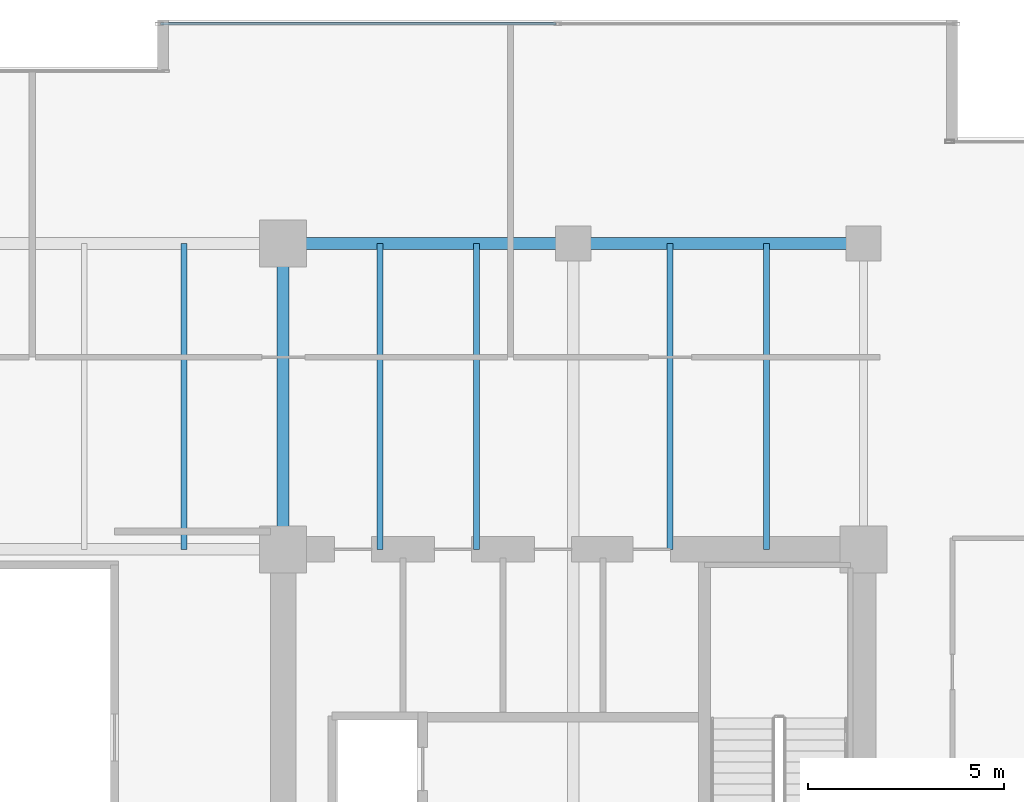
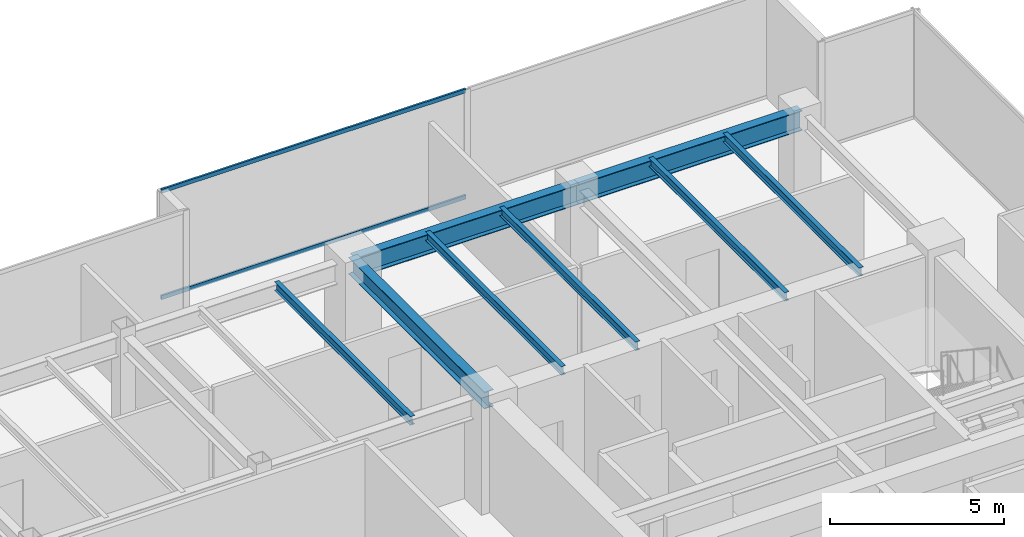
# One storey, part 19 of 30: 8 beams, 2 members, 1 element without a shape of its own.
"""IFC4 building model written with IfcOpenShell, lengths in metres."""

from ifc_helpers import new_model, si_unit, direction, frame, origin, origin_2d, place, context, subcontext, project, spatial, hollow_rectangle, i_section, extrude, source, transform, mapped, material, layer, layer_set, material_profile, profile_set, type_object, type_shapes, element, aggregate, save


model = new_model("IFC4")

# Units and contexts
model_context = context("Model", 3, precision=1e-05, world=origin(), true_north=direction((0.0, 1.0)))
body_context = subcontext(model_context, "Body", "Model", "MODEL_VIEW")
ifc_project = project(units=[si_unit("LENGTHUNIT", "METRE"), si_unit("AREAUNIT", "SQUARE_METRE"), si_unit("VOLUMEUNIT", "CUBIC_METRE"), si_unit("PLANEANGLEUNIT", "RADIAN"), si_unit("MASSUNIT", "GRAM", prefix="KILO")], contexts=[model_context])

# Site, building, storey
site_placement = place(None, origin())
site = spatial("IfcSite", under=ifc_project, at=site_placement, CompositionType="ELEMENT")
building_placement = place(site_placement, origin())
building = spatial("IfcBuilding", under=site, at=building_placement, Name="Haelvirn Gate Laboratories", CompositionType="ELEMENT")
storey_placement = place(building_placement, frame((0.0, 0.0, 170.699951171875)))
storey = spatial("IfcBuildingStorey", under=building, at=storey_placement, Name="L41", CompositionType="ELEMENT", Elevation=170.699951171875)

# Beams
ifc_material_1 = material(Name="Steel SM355", Category="steel")
ifc_material_profile_1 = material_profile(ifc_material_1, i_section(OverallWidth=0.300048828125, OverallDepth=0.699951171875, WebThickness=0.012939453125, FlangeThickness=0.02392578125, at=origin_2d()), Name="H-700x300x13x24")
ifc_profile_set_1 = profile_set([ifc_material_profile_1], Name="Steel SM355")
beam_type_1 = type_object("IfcBeamType", Name="BM-G-700", PredefinedType="BEAM", material=ifc_profile_set_1)
shared_shape_1 = source(origin(), body_context, "Body", "SweptSolid", [
    extrude(i_section(OverallWidth=0.300048828125, OverallDepth=0.699951171875, WebThickness=0.012939453125, FlangeThickness=0.02392578125, at=origin_2d()), origin(), (0.0, 0.0, 1.0), 7.39990234375),
])
type_shapes(beam_type_1, [shared_shape_1])
for number, where, z_axis, x_axis, name in (
    (1, (52.60009765625, 41.60009765625, 3.43994140625), (1.0, 0.0, 0.0), (0.0, 1.0, 0.0), "L41 Primary Girder Y41.6 (52.6-60.0)"),
    (2, (60.0, 41.60009765625, 3.43994140625), (1.0, 0.0, 0.0), (0.0, 1.0, 0.0), "L41 Primary Girder Y41.6 (60.0-67.4)"),
):
    element("IfcBeam", number, at=place(storey_placement, frame(where, z_axis=z_axis, x_axis=x_axis)), inside=storey, type_object=beam_type_1, Name=name, PredefinedType="BEAM", context=body_context, shape_type="MappedRepresentation", body=[
        mapped(shared_shape_1, transform((0.0, 0.0, 0.0), scale=1.0)),
    ])
ifc_material_profile_2 = material_profile(ifc_material_1, i_section(OverallWidth=0.14990234375, OverallDepth=0.300048828125, WebThickness=0.006591796875, FlangeThickness=0.009033203125, at=origin_2d()), Name="H-300x150x6.5x9")
ifc_profile_set_2 = profile_set([ifc_material_profile_2], Name="Steel SM355")
beam_type_2 = type_object("IfcBeamType", Name="BM-J-300", PredefinedType="JOIST", material=ifc_profile_set_2)
shared_shape_2 = source(origin(), body_context, "Body", "SweptSolid", [
    extrude(i_section(OverallWidth=0.14990234375, OverallDepth=0.300048828125, WebThickness=0.006591796875, FlangeThickness=0.009033203125, at=origin_2d()), origin(), (0.0, 0.0, 1.0), 7.800048828125),
])
type_shapes(beam_type_2, [shared_shape_2])
for number, where, z_axis, x_axis, name in (
    (3, (50.070068359375, 33.800048828125, 3.64013671875), (0.0, 1.0, 0.0), (-1.0, 0.0, 0.0), "L41 Composite Lab Joist North X50.07"),
    (4, (55.070068359375, 33.800048828125, 3.64013671875), (0.0, 1.0, 0.0), (-1.0, 0.0, 0.0), "L41 Composite Lab Joist North X55.07"),
    (5, (57.530029296875, 33.800048828125, 3.64013671875), (0.0, 1.0, 0.0), (-1.0, 0.0, 0.0), "L41 Composite Lab Joist North X57.53"),
    (6, (62.469970703125, 33.800048828125, 3.64013671875), (0.0, 1.0, 0.0), (-1.0, 0.0, 0.0), "L41 Composite Lab Joist North X62.47"),
    (7, (64.929931640625, 33.800048828125, 3.64013671875), (0.0, 1.0, 0.0), (-1.0, 0.0, 0.0), "L41 Composite Lab Joist North X64.93"),
):
    element("IfcBeam", number, at=place(storey_placement, frame(where, z_axis=z_axis, x_axis=x_axis)), inside=storey, type_object=beam_type_2, Name=name, PredefinedType="JOIST", context=body_context, shape_type="MappedRepresentation", body=[
        mapped(shared_shape_2, transform((0.0, 0.0, 0.0), scale=1.0)),
    ])
ifc_material_profile_3 = material_profile(ifc_material_1, i_section(OverallWidth=0.300048828125, OverallDepth=0.587890625, WebThickness=0.011962890625, FlangeThickness=0.02001953125, at=origin_2d()), Name="H-588x300x12x20")
ifc_profile_set_3 = profile_set([ifc_material_profile_3], Name="Steel SM355")
beam_type_3 = type_object("IfcBeamType", Name="BM-G-588", PredefinedType="BEAM", material=ifc_profile_set_3)
shared_shape_3 = source(origin(), body_context, "Body", "SweptSolid", [
    extrude(i_section(OverallWidth=0.300048828125, OverallDepth=0.587890625, WebThickness=0.011962890625, FlangeThickness=0.02001953125, at=origin_2d()), origin(), (0.0, 0.0, 1.0), 7.800048828125),
])
type_shapes(beam_type_3, [shared_shape_3])
beam_placement = place(storey_placement, frame((52.60009765625, 33.800048828125, 3.49609375), z_axis=(0.0, 1.0, 0.0), x_axis=(-1.0, 0.0, 0.0)))
element("IfcBeam", 8, at=beam_placement, inside=storey, type_object=beam_type_3, Name="L41 Frame Girder X52.6 (33.8-41.6)", PredefinedType="BEAM", context=body_context, shape_type="MappedRepresentation", body=[
    mapped(shared_shape_3, transform((0.0, 0.0, 0.0), scale=1.0)),
])

# Curtain wall, members
ifc_material_2 = material(Name="Anodised bronze unitised aluminium & triple low-E glass", Category="aluminium")
ifc_layer = layer(ifc_material_2, 0.179931640625, Name="CW-SYS-3")
ifc_layer_set = layer_set([ifc_layer], Name="Anodised bronze unitised aluminium & triple low-E glass")
curtain_wall_type = type_object("IfcCurtainWallType", Name="CW-SYS-3", PredefinedType="NOTDEFINED", material=ifc_layer_set)
curtain_wall_placement = place(storey_placement, origin())
curtain_wall = element("IfcCurtainWall", 9, at=curtain_wall_placement, inside=storey, type_object=curtain_wall_type, Name="L41 Unitised Curtain Wall CW-L41-P0-E10-1", PredefinedType="NOTDEFINED")
ifc_material_3 = material(Name="Extruded aluminium 6063-T6 (anodised bronze)", Category="aluminium")
ifc_material_profile_4 = material_profile(ifc_material_3, hollow_rectangle(XDim=0.06494140625, YDim=0.139892578125, WallThickness=0.00390625, at=origin_2d()), Name="CWT-140x65x4")
ifc_profile_set_4 = profile_set([ifc_material_profile_4], Name="Extruded aluminium 6063-T6 (anodised bronze)")
member_type = type_object("IfcMemberType", Name="CWT-T140", PredefinedType="USERDEFINED", material=ifc_profile_set_4)
shared_shape_4 = source(origin(), body_context, "Body", "SweptSolid", [
    extrude(hollow_rectangle(XDim=0.06494140625, YDim=0.139892578125, WallThickness=0.00390625, at=origin_2d()), origin(), (0.0, 0.0, 1.0), 10.08740234375),
])
type_shapes(member_type, [shared_shape_4])
member_1_placement = place(storey_placement, frame((49.47509765625, 47.199951171875, 0.032470703125), z_axis=(1.0, 0.0, 0.0), x_axis=(0.0, 1.0, 0.0)))
member_1 = element("IfcMember", 10, at=member_1_placement, type_object=member_type, Name="CW3 transom 1.1", ObjectType="TRANSOM", PredefinedType="USERDEFINED", context=body_context, shape_type="MappedRepresentation", body=[
    mapped(shared_shape_4, transform((0.0, 0.0, 0.0), scale=1.0)),
])
member_2_placement = place(storey_placement, frame((49.47509765625, 47.199951171875, 3.757568359375), z_axis=(1.0, 0.0, 0.0), x_axis=(0.0, 1.0, 0.0)))
member_2 = element("IfcMember", 11, at=member_2_placement, type_object=member_type, Name="CW3 transom 1.2", ObjectType="TRANSOM", PredefinedType="USERDEFINED", context=body_context, shape_type="MappedRepresentation", body=[
    mapped(shared_shape_4, transform((0.0, 0.0, 0.0), scale=1.0)),
])
aggregate(curtain_wall, [member_1, member_2])

save(model, "model.ifc")
